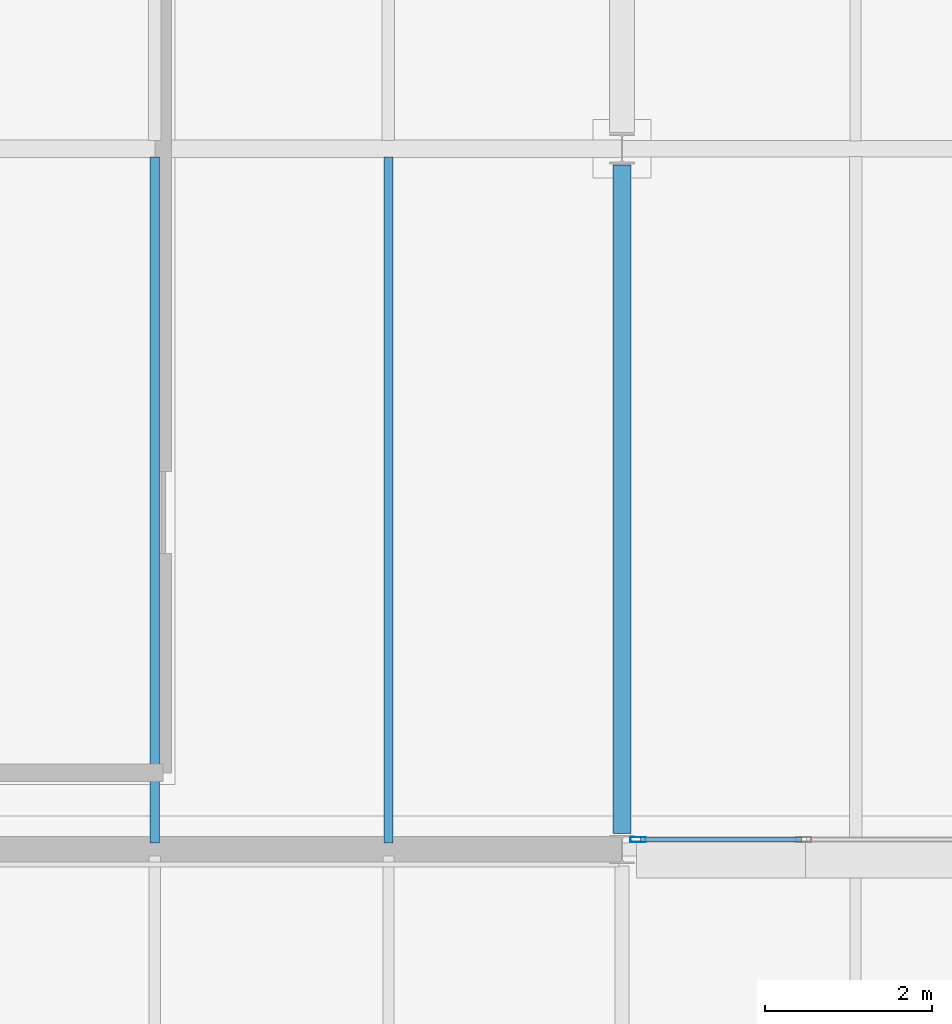
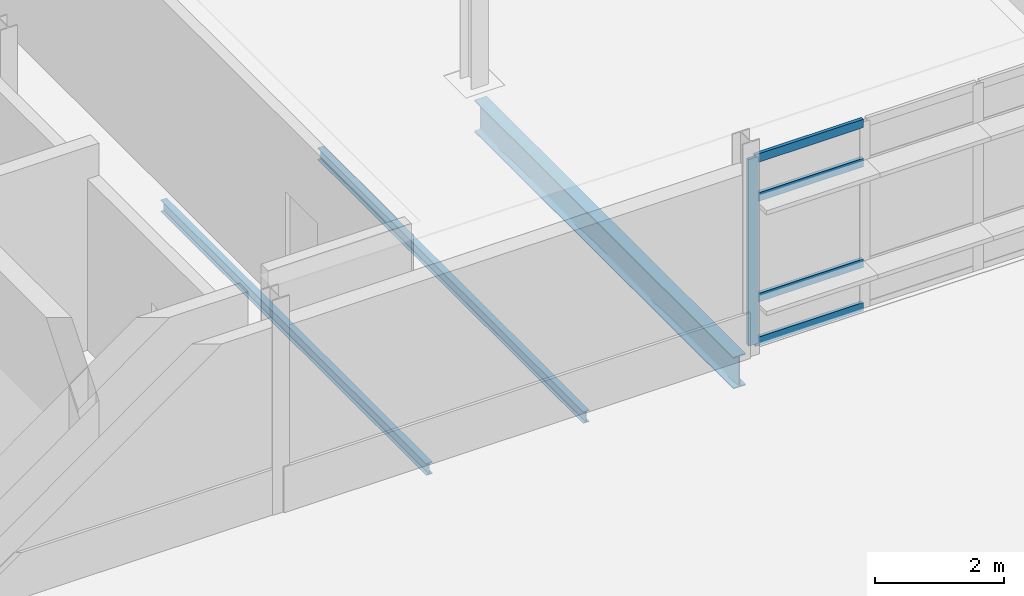
# One storey, part 21 of 151: 5 members, 3 beams, 1 element without a shape of its own.
"""IFC4 building model written with IfcOpenShell, lengths in metres."""

from ifc_helpers import new_model, si_unit, direction, frame, origin, origin_2d, place, context, subcontext, project, spatial, hollow_rectangle, i_section, extrude, material, material_profile, profile_set, type_object, element, aggregate, save


model = new_model("IFC4")

# Units and contexts
model_context = context("Model", 3, precision=1e-05, world=origin(), true_north=direction((0.0, 1.0)))
body_context = subcontext(model_context, "Body", "Model", "MODEL_VIEW")
ifc_project = project(units=[si_unit("LENGTHUNIT", "METRE"), si_unit("AREAUNIT", "SQUARE_METRE"), si_unit("VOLUMEUNIT", "CUBIC_METRE"), si_unit("PLANEANGLEUNIT", "RADIAN"), si_unit("MASSUNIT", "GRAM", prefix="KILO")], contexts=[model_context])

# Site, building, storey
site_placement = place(None, origin())
site = spatial("IfcSite", under=ifc_project, at=site_placement, CompositionType="ELEMENT")
building_placement = place(site_placement, origin())
building = spatial("IfcBuilding", under=site, at=building_placement, Name="Mersafa Astral City Hall", CompositionType="ELEMENT")
storey_placement = place(building_placement, frame((0.0, 0.0, 9.89990234375)))
storey = spatial("IfcBuildingStorey", under=building, at=storey_placement, Name="L02", CompositionType="ELEMENT", Elevation=9.89990234375)

# Curtain wall, members
ifc_material_1 = material(Name="Anodised bronze aluminium framing", Category="aluminium")
curtain_wall_type = type_object("IfcCurtainWallType", Name="ENV-CW-5", PredefinedType="USERDEFINED", material=ifc_material_1)
curtain_wall_placement = place(storey_placement, origin())
curtain_wall = element("IfcCurtainWall", 1, at=curtain_wall_placement, inside=storey, type_object=curtain_wall_type, Name="L02 Unitised solar curtain wall 106", ObjectType="UNITISED CURTAIN WALL", PredefinedType="USERDEFINED")
ifc_material_profile_1 = material_profile(ifc_material_1, hollow_rectangle(XDim=0.06005859375, YDim=0.179931640625, WallThickness=0.00390625, at=origin_2d()), Name="RHS 60x180x4")
ifc_profile_set_1 = profile_set([ifc_material_profile_1], Name="Anodised bronze aluminium framing")
member_type_1 = type_object("IfcMemberType", Name="ENV-CW-MUL-1", PredefinedType="MULLION", material=ifc_profile_set_1)
member_1_placement = place(storey_placement, frame((134.592041015625, 8.52001953125, -0.001953125), z_axis=(0.0, 0.0, 1.0), x_axis=(0.0, 1.0, 0.0)))
member_1 = element("IfcMember", 2, at=member_1_placement, type_object=member_type_1, Name="CW-5 mullion 1", PredefinedType="MULLION", context=body_context, shape_type="SweptSolid", body=[
    extrude(hollow_rectangle(XDim=0.06005859375, YDim=0.179931640625, WallThickness=0.00390625, at=origin_2d()), origin(), (0.0, 0.0, 1.0), 3.51904296875),
])
ifc_material_profile_2 = material_profile(ifc_material_1, hollow_rectangle(XDim=0.06005859375, YDim=0.159912109375, WallThickness=0.00390625, at=origin_2d()), Name="RHS 60x160x4")
ifc_profile_set_2 = profile_set([ifc_material_profile_2], Name="Anodised bronze aluminium framing")
member_type_2 = type_object("IfcMemberType", Name="ENV-CW-TRN-2", PredefinedType="USERDEFINED", material=ifc_profile_set_2)
member_2_placement = place(storey_placement, frame((134.6220703125, 8.52001953125, 0.028076171875), z_axis=(1.0, 0.0, 0.0), x_axis=(0.0, 1.0, 0.0)))
member_2 = element("IfcMember", 3, at=member_2_placement, type_object=member_type_2, Name="CW-5 transom 1.1", ObjectType="TRANSOM", PredefinedType="USERDEFINED", context=body_context, shape_type="SweptSolid", body=[
    extrude(hollow_rectangle(XDim=0.06005859375, YDim=0.159912109375, WallThickness=0.00390625, at=origin_2d()), origin(), (0.0, 0.0, 1.0), 1.928955078125),
])
member_3_placement = place(storey_placement, frame((134.6220703125, 8.52001953125, 0.85009765625), z_axis=(1.0, 0.0, 0.0), x_axis=(0.0, 1.0, 0.0)))
member_3 = element("IfcMember", 4, at=member_3_placement, type_object=member_type_2, Name="CW-5 transom 1.2", ObjectType="TRANSOM", PredefinedType="USERDEFINED", context=body_context, shape_type="SweptSolid", body=[
    extrude(hollow_rectangle(XDim=0.06005859375, YDim=0.159912109375, WallThickness=0.00390625, at=origin_2d()), origin(), (0.0, 0.0, 1.0), 1.928955078125),
])
member_4_placement = place(storey_placement, frame((134.6220703125, 8.52001953125, 2.75), z_axis=(1.0, 0.0, 0.0), x_axis=(0.0, 1.0, 0.0)))
member_4 = element("IfcMember", 5, at=member_4_placement, type_object=member_type_2, Name="CW-5 transom 1.3", ObjectType="TRANSOM", PredefinedType="USERDEFINED", context=body_context, shape_type="SweptSolid", body=[
    extrude(hollow_rectangle(XDim=0.06005859375, YDim=0.159912109375, WallThickness=0.00390625, at=origin_2d()), origin(), (0.0, 0.0, 1.0), 1.928955078125),
])
member_5_placement = place(storey_placement, frame((134.6220703125, 8.52001953125, 3.487060546875), z_axis=(1.0, 0.0, 0.0), x_axis=(0.0, 1.0, 0.0)))
member_5 = element("IfcMember", 6, at=member_5_placement, type_object=member_type_2, Name="CW-5 transom 1.4", ObjectType="TRANSOM", PredefinedType="USERDEFINED", context=body_context, shape_type="SweptSolid", body=[
    extrude(hollow_rectangle(XDim=0.06005859375, YDim=0.159912109375, WallThickness=0.00390625, at=origin_2d()), origin(), (0.0, 0.0, 1.0), 1.928955078125),
])
aggregate(curtain_wall, [member_1, member_2, member_3, member_4, member_5])

# Beams
ifc_material_2 = material(Name="Steel S355", Category="steel")
ifc_material_profile_3 = material_profile(ifc_material_2, i_section(OverallWidth=0.219970703125, OverallDepth=0.60009765625, WebThickness=0.011962890625, FlangeThickness=0.01904296875, FilletRadius=0.02392578125, at=origin_2d()), Name="IPE 600")
ifc_profile_set_3 = profile_set([ifc_material_profile_3], Name="Steel S355")
beam_type_1 = type_object("IfcBeamType", Name="STR-BM-IPE600", PredefinedType="BEAM", material=ifc_profile_set_3)
beam_placement = place(storey_placement, frame((134.39990234375, 8.594970703125, -0.5), z_axis=(0.0, 1.0, 0.0), x_axis=(-1.0, 0.0, 0.0)))
element("IfcBeam", 7, at=beam_placement, inside=storey, type_object=beam_type_1, Name="L02 Primary girder Y 16-1", PredefinedType="BEAM", context=body_context, shape_type="SweptSolid", body=[
    extrude(i_section(OverallWidth=0.219970703125, OverallDepth=0.60009765625, WebThickness=0.011962890625, FlangeThickness=0.01904296875, FilletRadius=0.02392578125, at=origin_2d()), origin(), (0.0, 0.0, 1.0), 8.010009765625),
])
ifc_material_profile_4 = material_profile(ifc_material_2, i_section(OverallWidth=0.110107421875, OverallDepth=0.219970703125, WebThickness=0.005859375, FlangeThickness=0.00927734375, FilletRadius=0.011962890625, at=origin_2d()), Name="IPE 220")
ifc_profile_set_4 = profile_set([ifc_material_profile_4], Name="Steel S355")
beam_type_2 = type_object("IfcBeamType", Name="STR-BM-JOIST-IPE220", PredefinedType="JOIST", material=ifc_profile_set_4)
for number, where, z_axis, x_axis, name in (
    (8, (128.800048828125, 8.47998046875, -0.309814453125), (0.0, 1.0, 0.0), (-1.0, 0.0, 0.0), "L02 Composite secondary floor joist 498"),
    (9, (131.60009765625, 8.47998046875, -0.309814453125), (0.0, 1.0, 0.0), (-1.0, 0.0, 0.0), "L02 Composite secondary floor joist 499"),
):
    element("IfcBeam", number, at=place(storey_placement, frame(where, z_axis=z_axis, x_axis=x_axis)), inside=storey, type_object=beam_type_2, Name=name, PredefinedType="JOIST", context=body_context, shape_type="SweptSolid", body=[
        extrude(i_section(OverallWidth=0.110107421875, OverallDepth=0.219970703125, WebThickness=0.005859375, FlangeThickness=0.00927734375, FilletRadius=0.011962890625, at=origin_2d()), origin(), (0.0, 0.0, 1.0), 8.219970703125),
    ])

save(model, "model.ifc")
